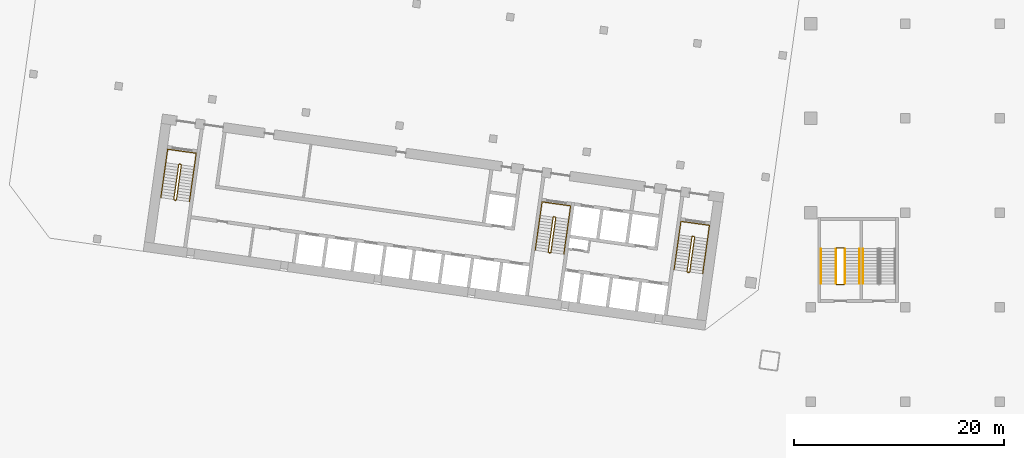
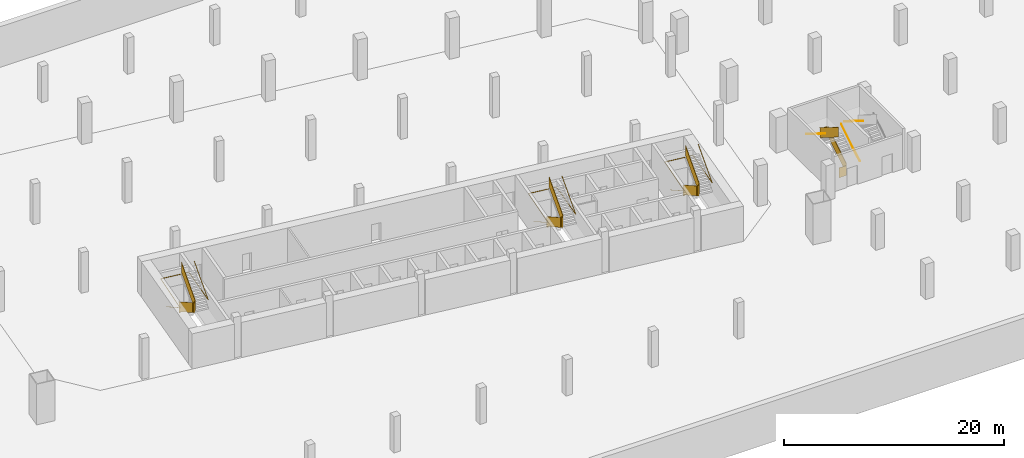
# One storey, part 14 of 17: 13 railings.
"""IFC4 building model written with IfcOpenShell, lengths in metres."""

import ifcopenshell
import ifcopenshell.guid

model = None  # the IFC model being written
_history = None  # IfcOwnerHistory: only IFC2X3 demands one
_inside = {}  # id of a spatial element -> (the spatial element, [elements in it])
_under = {}  # id of a project, library or spatial element -> (it, [spatial elements below it])
_declared = {}  # id of a project -> (the project, [libraries it declares])
_typed = {}  # id of a type object -> (the type object, [elements of that type])
_made_of = {}  # id of a material, layer set ... -> (it, [elements and type objects made of it])


def new_model(schema):
    """Start an empty IFC model of exactly this schema.

    Asked for "IFC4X3", IfcOpenShell would pick the latest addendum, in which some entities
    have other attributes; the version numbers below select the first issue.
    IFC2X3 requires an IfcOwnerHistory on every rooted entity: one is made here for all.
    """
    global model, _history
    if schema == "IFC4X3":
        model = ifcopenshell.file(schema_version=(4, 3, 0, 0))
    else:
        model = ifcopenshell.file(schema=schema)
    _inside.clear()
    _under.clear()
    _declared.clear()
    _typed.clear()
    _made_of.clear()
    _history = None
    if model.schema == "IFC2X3":
        org = make("IfcOrganization", Name="unknown")
        user = make(
            "IfcPersonAndOrganization",
            ThePerson=make("IfcPerson", FamilyName="unknown"),
            TheOrganization=org,
        )
        app = make(
            "IfcApplication",
            ApplicationDeveloper=org,
            Version="unknown",
            ApplicationFullName="unknown",
            ApplicationIdentifier="unknown",
        )
        _history = make(
            "IfcOwnerHistory",
            OwningUser=user,
            OwningApplication=app,
            ChangeAction="ADDED",
            CreationDate=0,
        )
    return model


def make(cls, **values):
    """One entity of the class cls with the attributes given. An attribute that is None is left unset."""
    return model.create_entity(
        cls, **{name: value for name, value in values.items() if value is not None}
    )


def rooted(cls, **values):
    """An entity with a GlobalId (a new one), such as an element, a storey or a relation."""
    return make(cls, GlobalId=ifcopenshell.guid.new(), OwnerHistory=_history, **values)


def si_unit(unit_type, name, prefix=None):
    """IfcSIUnit, for example si_unit("LENGTHUNIT", "METRE", prefix="MILLI")."""
    return make("IfcSIUnit", UnitType=unit_type, Prefix=prefix, Name=name)


def assignment(units):
    """IfcUnitAssignment: the units of a project."""
    return None if units is None else make("IfcUnitAssignment", Units=units)


def point(xyz):
    """IfcCartesianPoint."""
    return None if xyz is None else make("IfcCartesianPoint", Coordinates=xyz)


def direction(xyz):
    """IfcDirection."""
    return None if xyz is None else make("IfcDirection", DirectionRatios=xyz)


def frame(location, z_axis=None, x_axis=None):
    """IfcAxis2Placement3D, a coordinate frame: its origin and axes. An axis left out is left unset."""
    return make(
        "IfcAxis2Placement3D",
        Location=point(location),
        Axis=direction(z_axis),
        RefDirection=direction(x_axis),
    )


def frame_2d(location, x_axis=None):
    """IfcAxis2Placement2D, a coordinate frame in the plane: its origin and x axis."""
    return make(
        "IfcAxis2Placement2D", Location=point(location), RefDirection=direction(x_axis)
    )


def origin():
    """The frame at (0, 0, 0) with its axes left unset."""
    return frame((0.0, 0.0, 0.0))


def origin_2d():
    """The frame at (0, 0) in the plane with its x axis left unset."""
    return frame_2d((0.0, 0.0))


def place(relative_to, where):
    """IfcLocalPlacement: puts the frame where relative to a parent placement (None: the world)."""
    return make(
        "IfcLocalPlacement", PlacementRelTo=relative_to, RelativePlacement=where
    )


def context(
    kind, dimensions, precision=None, world=None, true_north=None, identifier=None
):
    """IfcGeometricRepresentationContext, for example the 3D "Model" context."""
    return make(
        "IfcGeometricRepresentationContext",
        ContextIdentifier=identifier,
        ContextType=kind,
        CoordinateSpaceDimension=dimensions,
        Precision=precision,
        WorldCoordinateSystem=world,
        TrueNorth=true_north,
    )


def subcontext(parent, identifier, kind, view, scale=None):
    """IfcGeometricRepresentationSubContext, for example "Body" below "Model"."""
    return make(
        "IfcGeometricRepresentationSubContext",
        ContextIdentifier=identifier,
        ContextType=kind,
        ParentContext=parent,
        TargetScale=scale,
        TargetView=view,
    )


def project(units=None, contexts=None):
    """IfcProject with its units and contexts."""
    return rooted(
        "IfcProject",
        Name="project",
        RepresentationContexts=contexts,
        UnitsInContext=assignment(units),
    )


def spatial(cls, under=None, at=None, **own):
    """A site, building, storey or space (cls), placed at a placement, below another one or the project."""
    s = rooted(cls, ObjectPlacement=at, **own)
    if under is not None:
        _under.setdefault(under.id(), (under, []))[1].append(s)
    return s


def profile(cls, at=None, kind="AREA", **sizes):
    """A parametric profile (cls). Its sizes go by their IFC names, for example OverallWidth=200.0."""
    return make(cls, ProfileType=kind, Position=at, **sizes)


def rectangle(**sizes):
    """IfcRectangleProfileDef."""
    return profile("IfcRectangleProfileDef", **sizes)


def extrude(swept, where, along, depth):
    """IfcExtrudedAreaSolid: the profile swept, set in the frame where, extruded along a direction by depth."""
    return make(
        "IfcExtrudedAreaSolid",
        SweptArea=swept,
        Position=where,
        ExtrudedDirection=direction(along),
        Depth=depth,
    )


def shape(context_of_items, identifier, shape_type, items):
    """IfcShapeRepresentation: the items that make up one representation, for example the "Body"."""
    return make(
        "IfcShapeRepresentation",
        ContextOfItems=context_of_items,
        RepresentationIdentifier=identifier,
        RepresentationType=shape_type,
        Items=items,
    )


def material(Name=None, Category=None):
    """IfcMaterial."""
    return make("IfcMaterial", Name=Name, Category=Category)


def made_of(thing, what):
    """Note that an element or type object is made of a material, layer set ...; save() writes the relation."""
    if what is not None:
        _made_of.setdefault(what.id(), (what, []))[1].append(thing)
    return thing


def type_object(cls, material=None, **own):
    """A type object (cls), such as IfcWallType, which elements share."""
    return made_of(rooted(cls, **own), material)


def element(
    cls,
    number,
    at=None,
    inside=None,
    cuts=None,
    type_object=None,
    material=None,
    context=None,
    identifier="Body",
    shape_type=None,
    held_by="IfcProductDefinitionShape",
    body=None,
    shapes=None,
    **own,
):
    """One element of the class cls, such as IfcWall. Its Tag is "e" and its number.

    at: its placement. inside: the storey or other place that contains it. cuts: it is an
    opening in that element (IfcRelVoidsElement). A single representation is given by context,
    identifier, shape_type and body (its items); several are given by shapes. held_by: the class
    of the entity that holds the representations. save() writes the other relations.
    """
    e = rooted(cls, Tag="e%d" % number, ObjectPlacement=at, **own)
    if body is not None:
        shapes = [shape(context, identifier, shape_type, body)]
    if shapes is not None:
        e.Representation = make(held_by, Representations=shapes)
    if inside is not None:
        _inside.setdefault(inside.id(), (inside, []))[1].append(e)
    if cuts is not None:
        rooted(
            "IfcRelVoidsElement", RelatingBuildingElement=cuts, RelatedOpeningElement=e
        )
    if type_object is not None:
        _typed.setdefault(type_object.id(), (type_object, []))[1].append(e)
    return made_of(e, material)


def aggregate(whole, parts):
    """IfcRelAggregates: a whole, such as a stair, and the parts it consists of."""
    return rooted("IfcRelAggregates", RelatingObject=whole, RelatedObjects=parts)


def save(model, path):
    """Write the relations noted so far, then the file.

    IfcRelAggregates (storeys below a building ...), IfcRelContainedInSpatialStructure (elements
    in a storey), IfcRelDefinesByType, IfcRelAssociatesMaterial and IfcRelDeclares: one each for
    every whole, place, type object, material and project.
    """
    for whole, parts in _under.values():
        aggregate(whole, parts)
    for where, things in _inside.values():
        rooted(
            "IfcRelContainedInSpatialStructure",
            RelatedElements=things,
            RelatingStructure=where,
        )
    for kind, things in _typed.values():
        rooted("IfcRelDefinesByType", RelatedObjects=things, RelatingType=kind)
    for what, things in _made_of.values():
        rooted("IfcRelAssociatesMaterial", RelatedObjects=things, RelatingMaterial=what)
    for by, libraries in _declared.values():
        rooted("IfcRelDeclares", RelatingContext=by, RelatedDefinitions=libraries)
    model.write(path)


model = new_model("IFC4")

# Units and contexts
model_context = context("Model", 3, precision=1e-05, world=origin(), true_north=direction((0.0, 1.0)))
body_context = subcontext(model_context, "Body", "Model", "MODEL_VIEW")
ifc_project = project(units=[si_unit("LENGTHUNIT", "METRE"), si_unit("AREAUNIT", "SQUARE_METRE"), si_unit("VOLUMEUNIT", "CUBIC_METRE"), si_unit("PLANEANGLEUNIT", "RADIAN"), si_unit("MASSUNIT", "GRAM", prefix="KILO")], contexts=[model_context])

# Site, building, storey
site_placement = place(None, origin())
site = spatial("IfcSite", under=ifc_project, at=site_placement, CompositionType="ELEMENT")
building_placement = place(site_placement, origin())
building = spatial("IfcBuilding", under=site, at=building_placement, Name="Mirante Cascada Hotel Towers", CompositionType="ELEMENT")
storey_placement = place(building_placement, frame((0.0, 0.0, -4.5)))
storey = spatial("IfcBuildingStorey", under=building, at=storey_placement, Name="B1", CompositionType="ELEMENT", Elevation=-4.5)

# Railings
ifc_material_1 = material(Name="Painted steel", Category="steel")
railing_type_1 = type_object("IfcRailingType", Name="Podium stair guard 1100 steel balustrade", PredefinedType="GUARDRAIL", material=ifc_material_1)
railing_1_placement = place(storey_placement, frame((-23.775, -15.775, 0.1731)))
element("IfcRailing", 1, at=railing_1_placement, inside=storey, type_object=railing_type_1, Name="B1 PS3 stair guard 1", PredefinedType="GUARDRAIL", context=body_context, shape_type="SweptSolid", body=[
    extrude(rectangle(XDim=0.048, YDim=0.048, at=origin_2d()), frame((0.0, 0.0, 1.076), z_axis=(0.0, 1.0, 0.0), x_axis=(-1.0, 0.0, 0.0)), (0.0, 0.5257871, 0.8506162), 3.9501),
    extrude(rectangle(XDim=0.02, YDim=1.052, at=origin_2d()), frame((0.0, 0.0, 0.526), z_axis=(0.0, 1.0, 0.0), x_axis=(-1.0, 0.0, 0.0)), (0.0, 0.5257871, 0.8506162), 3.9501),
])
railing_2_placement = place(storey_placement, frame((-23.825, -12.365, 2.25)))
element("IfcRailing", 2, at=railing_2_placement, inside=storey, type_object=railing_type_1, Name="B1 PS3 stair guard 2", PredefinedType="GUARDRAIL", context=body_context, shape_type="SweptSolid", body=[
    extrude(rectangle(XDim=0.048, YDim=0.048, at=origin_2d()), frame((0.0, 0.0, 1.076), z_axis=(-1.0, 0.0, 0.0), x_axis=(0.0, -1.0, 0.0)), (0.0, 0.0, 1.0), 0.75),
    extrude(rectangle(XDim=0.02, YDim=1.052, at=origin_2d()), frame((0.0, 0.0, 0.526), z_axis=(-1.0, 0.0, 0.0), x_axis=(0.0, -1.0, 0.0)), (0.0, 0.0, 1.0), 0.75),
])
railing_3_placement = place(storey_placement, frame((-24.625, -12.415, 2.4231)))
element("IfcRailing", 3, at=railing_3_placement, inside=storey, type_object=railing_type_1, Name="B1 PS3 stair guard 3", PredefinedType="GUARDRAIL", context=body_context, shape_type="SweptSolid", body=[
    extrude(rectangle(XDim=0.048, YDim=0.048, at=origin_2d()), frame((0.0, 0.0, 1.076), z_axis=(0.0, -1.0, 0.0), x_axis=(1.0, 0.0, 0.0)), (0.0, 0.5257871, 0.8506162), 3.9501),
    extrude(rectangle(XDim=0.02, YDim=1.052, at=origin_2d()), frame((0.0, 0.0, 0.526), z_axis=(0.0, -1.0, 0.0), x_axis=(1.0, 0.0, 0.0)), (0.0, 0.5257871, 0.8506162), 3.9501),
])
railing_4_placement = place(storey_placement, frame((-23.825, -15.825, 0.0)))
element("IfcRailing", 4, at=railing_4_placement, inside=storey, type_object=railing_type_1, Name="B1 PS3 stair guard 4", PredefinedType="GUARDRAIL", context=body_context, shape_type="SweptSolid", body=[
    extrude(rectangle(XDim=0.048, YDim=0.048, at=origin_2d()), frame((0.0, 0.0, 1.076), z_axis=(-1.0, 0.0, 0.0), x_axis=(0.0, -1.0, 0.0)), (0.0, 0.0, 1.0), 0.75),
    extrude(rectangle(XDim=0.02, YDim=1.052, at=origin_2d()), frame((0.0, 0.0, 0.526), z_axis=(-1.0, 0.0, 0.0), x_axis=(0.0, -1.0, 0.0)), (0.0, 0.0, 1.0), 0.75),
])
ifc_material_2 = material(Name="Painted steel", Category="steel")
railing_type_2 = type_object("IfcRailingType", Name="Podium stair handrail 900 steel tube", PredefinedType="HANDRAIL", material=ifc_material_2)
railing_5_placement = place(storey_placement, frame((-22.025, -12.415, 2.4231)))
element("IfcRailing", 5, at=railing_5_placement, inside=storey, type_object=railing_type_2, Name="B1 PS1 stair handrail 2", PredefinedType="HANDRAIL", context=body_context, shape_type="SweptSolid", body=[
    extrude(rectangle(XDim=0.048, YDim=0.048, at=origin_2d()), frame((0.0, 0.0, 0.876), z_axis=(0.0, -1.0, 0.0), x_axis=(1.0, 0.0, 0.0)), (0.0, 0.5257871, 0.8506162), 3.9501),
])
railing_6_placement = place(storey_placement, frame((-22.375, -15.775, 0.1731)))
element("IfcRailing", 6, at=railing_6_placement, inside=storey, type_object=railing_type_2, Name="B1 PS3 stair handrail 1", PredefinedType="HANDRAIL", context=body_context, shape_type="SweptSolid", body=[
    extrude(rectangle(XDim=0.048, YDim=0.048, at=origin_2d()), frame((0.0, 0.0, 0.876), z_axis=(0.0, 1.0, 0.0), x_axis=(-1.0, 0.0, 0.0)), (0.0, 0.5257871, 0.8506162), 3.9501),
])
railing_7_placement = place(storey_placement, frame((-26.025, -12.415, 2.4231)))
element("IfcRailing", 7, at=railing_7_placement, inside=storey, type_object=railing_type_2, Name="B1 PS3 stair handrail 2", PredefinedType="HANDRAIL", context=body_context, shape_type="SweptSolid", body=[
    extrude(rectangle(XDim=0.048, YDim=0.048, at=origin_2d()), frame((0.0, 0.0, 0.876), z_axis=(0.0, -1.0, 0.0), x_axis=(1.0, 0.0, 0.0)), (0.0, 0.5257871, 0.8506162), 3.9501),
])
ifc_material_3 = material(Name="Painted steel", Category="steel")
railing_type_3 = type_object("IfcRailingType", Name="Stair guard 1100 steel balustrade", PredefinedType="GUARDRAIL", material=ifc_material_3)
railing_8_placement = place(storey_placement, frame((-38.1178, -11.2603, 0.0)))
element("IfcRailing", 8, at=railing_8_placement, inside=storey, type_object=railing_type_3, Name="B1 ST1-A stair guard 1", PredefinedType="GUARDRAIL", context=body_context, shape_type="SweptSolid", body=[
    extrude(rectangle(XDim=0.048, YDim=0.048, at=origin_2d()), frame((0.0, 0.0, 1.076), z_axis=(-0.9903326, 0.1387133, 0.0), x_axis=(-0.1387133, -0.9903326, 0.0)), (0.0, 0.0, 1.0), 0.1499),
    extrude(rectangle(XDim=0.02, YDim=1.052, at=origin_2d()), frame((0.0, 0.0, 0.526), z_axis=(-0.9903326, 0.1387133, 0.0), x_axis=(-0.1387133, -0.9903326, 0.0)), (0.0, 0.0, 1.0), 0.1499),
    extrude(rectangle(XDim=0.048, YDim=0.048, at=origin_2d()), frame((-0.1485, 0.0208, 1.076), z_axis=(-0.7991505, -0.6011309, 0.0), x_axis=(0.6011309, -0.7991505, 0.0)), (0.0, 0.9257597, 0.3781125), 0.187),
    extrude(rectangle(XDim=0.02, YDim=1.052, at=origin_2d()), frame((-0.1485, 0.0208, 0.526), z_axis=(-0.7991505, -0.6011309, 0.0), x_axis=(0.6011309, -0.7991505, 0.0)), (0.0, 0.9257597, 0.3781125), 0.187),
    extrude(rectangle(XDim=0.048, YDim=0.048, at=origin_2d()), frame((-0.205, -0.0217, 1.2491), z_axis=(-0.1391668, -0.990269, 0.0), x_axis=(0.990269, -0.1391668, 0.0)), (0.0, 0.5257875, 0.8506159), 3.9501),
    extrude(rectangle(XDim=0.02, YDim=1.052, at=origin_2d()), frame((-0.205, -0.0217, 0.6991), z_axis=(-0.1391668, -0.990269, 0.0), x_axis=(0.990269, -0.1391668, 0.0)), (0.0, 0.5257875, 0.8506159), 3.9501),
    extrude(rectangle(XDim=0.048, YDim=0.048, at=origin_2d()), frame((-0.6726, -3.349, 3.326), z_axis=(0.9268624, -0.3754011, 0.0), x_axis=(0.3754011, 0.9268624, 0.0)), (0.0, 0.0, 1.0), 0.2062),
    extrude(rectangle(XDim=0.02, YDim=1.052, at=origin_2d()), frame((-0.6726, -3.349, 2.776), z_axis=(0.9268624, -0.3754011, 0.0), x_axis=(0.3754011, 0.9268624, 0.0)), (0.0, 0.0, 1.0), 0.2062),
    extrude(rectangle(XDim=0.048, YDim=0.048, at=origin_2d()), frame((-0.4815, -3.4264, 3.326), z_axis=(-0.9902537, 0.1392753, 0.0), x_axis=(-0.1392753, -0.9902537, 0.0)), (0.0, 0.0, 1.0), 0.1501),
    extrude(rectangle(XDim=0.02, YDim=1.052, at=origin_2d()), frame((-0.4815, -3.4264, 2.776), z_axis=(-0.9902537, 0.1392753, 0.0), x_axis=(-0.1392753, -0.9902537, 0.0)), (0.0, 0.0, 1.0), 0.1501),
    extrude(rectangle(XDim=0.048, YDim=0.048, at=origin_2d()), frame((-0.6301, -3.4055, 3.326), z_axis=(0.9944441, 0.1052656, 0.0), x_axis=(-0.1052656, 0.9944441, 0.0)), (0.0, 0.6430569, 0.7658184), 0.2692),
    extrude(rectangle(XDim=0.02, YDim=1.052, at=origin_2d()), frame((-0.6301, -3.4055, 2.776), z_axis=(0.9944441, 0.1052656, 0.0), x_axis=(-0.1052656, 0.9944441, 0.0)), (0.0, 0.6430569, 0.7658184), 0.2692),
    extrude(rectangle(XDim=0.048, YDim=0.048, at=origin_2d()), frame((-0.4251, -3.3838, 3.4991), z_axis=(0.139196, 0.9902648, 0.0), x_axis=(-0.9902648, 0.139196, 0.0)), (0.0, 0.525786, 0.8506169), 3.9501),
    extrude(rectangle(XDim=0.02, YDim=1.052, at=origin_2d()), frame((-0.4251, -3.3838, 2.9491), z_axis=(0.139196, 0.9902648, 0.0), x_axis=(-0.9902648, 0.139196, 0.0)), (0.0, 0.525786, 0.8506169), 3.9501),
])
railing_9_placement = place(storey_placement, frame((-51.3379, -9.4024, 0.0)))
element("IfcRailing", 9, at=railing_9_placement, inside=storey, type_object=railing_type_3, Name="B1 ST1-B stair guard 1", PredefinedType="GUARDRAIL", context=body_context, shape_type="SweptSolid", body=[
    extrude(rectangle(XDim=0.048, YDim=0.048, at=origin_2d()), frame((0.0, 0.0, 1.076), z_axis=(-0.9902408, 0.1393672, 0.0), x_axis=(-0.1393672, -0.9902408, 0.0)), (0.0, 0.0, 1.0), 0.15),
    extrude(rectangle(XDim=0.02, YDim=1.052, at=origin_2d()), frame((0.0, 0.0, 0.526), z_axis=(-0.9902408, 0.1393672, 0.0), x_axis=(-0.1393672, -0.9902408, 0.0)), (0.0, 0.0, 1.0), 0.15),
    extrude(rectangle(XDim=0.048, YDim=0.048, at=origin_2d()), frame((-0.1485, 0.0209, 1.076), z_axis=(-0.7984711, -0.6020331, 0.0), x_axis=(0.6020331, -0.7984711, 0.0)), (0.0, 0.925647, 0.3783882), 0.187),
    extrude(rectangle(XDim=0.02, YDim=1.052, at=origin_2d()), frame((-0.1485, 0.0209, 0.526), z_axis=(-0.7984711, -0.6020331, 0.0), x_axis=(0.6020331, -0.7984711, 0.0)), (0.0, 0.925647, 0.3783882), 0.187),
    extrude(rectangle(XDim=0.048, YDim=0.048, at=origin_2d()), frame((-0.205, -0.0217, 1.2491), z_axis=(-0.1391668, -0.990269, 0.0), x_axis=(0.990269, -0.1391668, 0.0)), (0.0, 0.5257875, 0.8506159), 3.9501),
    extrude(rectangle(XDim=0.02, YDim=1.052, at=origin_2d()), frame((-0.205, -0.0217, 0.6991), z_axis=(-0.1391668, -0.990269, 0.0), x_axis=(0.990269, -0.1391668, 0.0)), (0.0, 0.5257875, 0.8506159), 3.9501),
    extrude(rectangle(XDim=0.048, YDim=0.048, at=origin_2d()), frame((-0.6726, -3.349, 3.326), z_axis=(0.9270311, -0.3749843, 0.0), x_axis=(0.3749843, 0.9270311, 0.0)), (0.0, 0.0, 1.0), 0.2061),
    extrude(rectangle(XDim=0.02, YDim=1.052, at=origin_2d()), frame((-0.6726, -3.349, 2.776), z_axis=(0.9270311, -0.3749843, 0.0), x_axis=(0.3749843, 0.9270311, 0.0)), (0.0, 0.0, 1.0), 0.2061),
    extrude(rectangle(XDim=0.048, YDim=0.048, at=origin_2d()), frame((-0.4815, -3.4263, 3.326), z_axis=(-0.9902537, 0.1392753, 0.0), x_axis=(-0.1392753, -0.9902537, 0.0)), (0.0, 0.0, 1.0), 0.1501),
    extrude(rectangle(XDim=0.02, YDim=1.052, at=origin_2d()), frame((-0.4815, -3.4263, 2.776), z_axis=(-0.9902537, 0.1392753, 0.0), x_axis=(-0.1392753, -0.9902537, 0.0)), (0.0, 0.0, 1.0), 0.1501),
    extrude(rectangle(XDim=0.048, YDim=0.048, at=origin_2d()), frame((-0.6301, -3.4054, 3.326), z_axis=(0.9945001, 0.1047353, 0.0), x_axis=(-0.1047353, 0.9945001, 0.0)), (0.0, 0.6428942, 0.765955), 0.2693),
    extrude(rectangle(XDim=0.02, YDim=1.052, at=origin_2d()), frame((-0.6301, -3.4054, 2.776), z_axis=(0.9945001, 0.1047353, 0.0), x_axis=(-0.1047353, 0.9945001, 0.0)), (0.0, 0.6428942, 0.765955), 0.2693),
    extrude(rectangle(XDim=0.048, YDim=0.048, at=origin_2d()), frame((-0.425, -3.3838, 3.4991), z_axis=(0.1391668, 0.990269, 0.0), x_axis=(-0.990269, 0.1391668, 0.0)), (0.0, 0.5257875, 0.8506159), 3.9501),
    extrude(rectangle(XDim=0.02, YDim=1.052, at=origin_2d()), frame((-0.425, -3.3838, 2.9491), z_axis=(0.1391668, 0.990269, 0.0), x_axis=(-0.990269, 0.1391668, 0.0)), (0.0, 0.5257875, 0.8506159), 3.9501),
])
railing_10_placement = place(storey_placement, frame((-86.9875, -4.3922, 0.0)))
element("IfcRailing", 10, at=railing_10_placement, inside=storey, type_object=railing_type_3, Name="B1 ST1-C stair guard 1", PredefinedType="GUARDRAIL", context=body_context, shape_type="SweptSolid", body=[
    extrude(rectangle(XDim=0.048, YDim=0.048, at=origin_2d()), frame((0.0, 0.0, 1.076), z_axis=(-0.9902537, 0.1392753, 0.0), x_axis=(-0.1392753, -0.9902537, 0.0)), (0.0, 0.0, 1.0), 0.1501),
    extrude(rectangle(XDim=0.02, YDim=1.052, at=origin_2d()), frame((0.0, 0.0, 0.526), z_axis=(-0.9902537, 0.1392753, 0.0), x_axis=(-0.1392753, -0.9902537, 0.0)), (0.0, 0.0, 1.0), 0.1501),
    extrude(rectangle(XDim=0.048, YDim=0.048, at=origin_2d()), frame((-0.1486, 0.0209, 1.076), z_axis=(-0.7986386, -0.601811, 0.0), x_axis=(0.601811, -0.7986386, 0.0)), (0.0, 0.9259092, 0.3777462), 0.187),
    extrude(rectangle(XDim=0.02, YDim=1.052, at=origin_2d()), frame((-0.1486, 0.0209, 0.526), z_axis=(-0.7986386, -0.601811, 0.0), x_axis=(0.601811, -0.7986386, 0.0)), (0.0, 0.9259092, 0.3777462), 0.187),
    extrude(rectangle(XDim=0.048, YDim=0.048, at=origin_2d()), frame((-0.205, -0.0216, 1.2491), z_axis=(-0.139196, -0.9902648, 0.0), x_axis=(0.9902648, -0.139196, 0.0)), (0.0, 0.525786, 0.8506169), 3.9501),
    extrude(rectangle(XDim=0.02, YDim=1.052, at=origin_2d()), frame((-0.205, -0.0216, 0.6991), z_axis=(-0.139196, -0.9902648, 0.0), x_axis=(0.9902648, -0.139196, 0.0)), (0.0, 0.525786, 0.8506169), 3.9501),
    extrude(rectangle(XDim=0.048, YDim=0.048, at=origin_2d()), frame((-0.6727, -3.3489, 3.326), z_axis=(0.9268624, -0.3754011, 0.0), x_axis=(0.3754011, 0.9268624, 0.0)), (0.0, 0.0, 1.0), 0.2062),
    extrude(rectangle(XDim=0.02, YDim=1.052, at=origin_2d()), frame((-0.6727, -3.3489, 2.776), z_axis=(0.9268624, -0.3754011, 0.0), x_axis=(0.3754011, 0.9268624, 0.0)), (0.0, 0.0, 1.0), 0.2062),
    extrude(rectangle(XDim=0.048, YDim=0.048, at=origin_2d()), frame((-0.4816, -3.4263, 3.326), z_axis=(-0.9902408, 0.1393672, 0.0), x_axis=(-0.1393672, -0.9902408, 0.0)), (0.0, 0.0, 1.0), 0.15),
    extrude(rectangle(XDim=0.02, YDim=1.052, at=origin_2d()), frame((-0.4816, -3.4263, 2.776), z_axis=(-0.9902408, 0.1393672, 0.0), x_axis=(-0.1393672, -0.9902408, 0.0)), (0.0, 0.0, 1.0), 0.15),
    extrude(rectangle(XDim=0.048, YDim=0.048, at=origin_2d()), frame((-0.6301, -3.4054, 3.326), z_axis=(0.9944441, 0.1052656, 0.0), x_axis=(-0.1052656, 0.9944441, 0.0)), (0.0, 0.6430569, 0.7658184), 0.2692),
    extrude(rectangle(XDim=0.02, YDim=1.052, at=origin_2d()), frame((-0.6301, -3.4054, 2.776), z_axis=(0.9944441, 0.1052656, 0.0), x_axis=(-0.1052656, 0.9944441, 0.0)), (0.0, 0.6430569, 0.7658184), 0.2692),
    extrude(rectangle(XDim=0.048, YDim=0.048, at=origin_2d()), frame((-0.4251, -3.3837, 3.4991), z_axis=(0.1391668, 0.990269, 0.0), x_axis=(-0.990269, 0.1391668, 0.0)), (0.0, 0.5257875, 0.8506159), 3.9501),
    extrude(rectangle(XDim=0.02, YDim=1.052, at=origin_2d()), frame((-0.4251, -3.3837, 2.9491), z_axis=(0.1391668, 0.990269, 0.0), x_axis=(-0.990269, 0.1391668, 0.0)), (0.0, 0.5257875, 0.8506159), 3.9501),
])
ifc_material_4 = material(Name="Painted steel", Category="steel")
railing_type_4 = type_object("IfcRailingType", Name="Stair handrail 900 steel tube", PredefinedType="HANDRAIL", material=ifc_material_4)
railing_11_placement = place(storey_placement, frame((-39.5606, -11.1081, 0.1731)))
element("IfcRailing", 11, at=railing_11_placement, inside=storey, type_object=railing_type_4, Name="B1 ST1-A stair handrail 1", PredefinedType="HANDRAIL", context=body_context, shape_type="SweptSolid", body=[
    extrude(rectangle(XDim=0.048, YDim=0.048, at=origin_2d()), frame((0.0, 0.0, 0.876), z_axis=(-0.139196, -0.9902648, 0.0), x_axis=(0.9902648, -0.139196, 0.0)), (0.0, 0.525786, 0.8506169), 3.9501),
    extrude(rectangle(XDim=0.048, YDim=0.048, at=origin_2d()), frame((-0.4677, -3.3273, 2.9529), z_axis=(0.1391828, 0.9902667, 0.0), x_axis=(-0.9902667, 0.1391828, 0.0)), (0.0, 0.0371199, 0.9993108), 4.6633),
    extrude(rectangle(XDim=0.048, YDim=0.048, at=origin_2d()), frame((0.1809, 1.2874, 3.126), z_axis=(0.9902691, -0.1391657, 0.0), x_axis=(0.1391657, 0.9902691, 0.0)), (0.0, 0.0, 1.0), 2.75),
    extrude(rectangle(XDim=0.048, YDim=0.048, at=origin_2d()), frame((2.9041, 0.9047, 3.126), z_axis=(-0.1391618, -0.9902697, 0.0), x_axis=(0.9902697, -0.1391618, 0.0)), (0.0, 0.0, 1.0), 4.66),
    extrude(rectangle(XDim=0.048, YDim=0.048, at=origin_2d()), frame((2.2556, -3.71, 3.126), z_axis=(0.1391668, 0.990269, 0.0), x_axis=(-0.990269, 0.1391668, 0.0)), (0.0, 0.5257875, 0.8506159), 3.9501),
])
railing_12_placement = place(storey_placement, frame((-52.7807, -9.2501, 0.1731)))
element("IfcRailing", 12, at=railing_12_placement, inside=storey, type_object=railing_type_4, Name="B1 ST1-B stair handrail 1", PredefinedType="HANDRAIL", context=body_context, shape_type="SweptSolid", body=[
    extrude(rectangle(XDim=0.048, YDim=0.048, at=origin_2d()), frame((0.0, 0.0, 0.876), z_axis=(-0.1391668, -0.990269, 0.0), x_axis=(0.990269, -0.1391668, 0.0)), (0.0, 0.5257875, 0.8506159), 3.9501),
    extrude(rectangle(XDim=0.048, YDim=0.048, at=origin_2d()), frame((-0.4676, -3.3273, 2.9529), z_axis=(0.1391618, 0.9902697, 0.0), x_axis=(-0.9902697, 0.1391618, 0.0)), (0.0, 0.03712, 0.9993108), 4.6633),
    extrude(rectangle(XDim=0.048, YDim=0.048, at=origin_2d()), frame((0.1809, 1.2874, 3.126), z_axis=(0.9902641, -0.1392013, 0.0), x_axis=(0.1392013, 0.9902641, 0.0)), (0.0, 0.0, 1.0), 2.75),
    extrude(rectangle(XDim=0.048, YDim=0.048, at=origin_2d()), frame((2.9041, 0.9046, 3.126), z_axis=(-0.1391647, -0.9902692, 0.0), x_axis=(0.9902692, -0.1391647, 0.0)), (0.0, 0.0, 1.0), 4.6599),
    extrude(rectangle(XDim=0.048, YDim=0.048, at=origin_2d()), frame((2.2556, -3.71, 3.126), z_axis=(0.1391668, 0.990269, 0.0), x_axis=(-0.990269, 0.1391668, 0.0)), (0.0, 0.5257875, 0.8506159), 3.9501),
])
railing_13_placement = place(storey_placement, frame((-88.4304, -4.2399, 0.1731)))
element("IfcRailing", 13, at=railing_13_placement, inside=storey, type_object=railing_type_4, Name="B1 ST1-C stair handrail 1", PredefinedType="HANDRAIL", context=body_context, shape_type="SweptSolid", body=[
    extrude(rectangle(XDim=0.048, YDim=0.048, at=origin_2d()), frame((0.0, 0.0, 0.876), z_axis=(-0.1391668, -0.990269, 0.0), x_axis=(0.990269, -0.1391668, 0.0)), (0.0, 0.5257875, 0.8506159), 3.9501),
    extrude(rectangle(XDim=0.048, YDim=0.048, at=origin_2d()), frame((-0.4676, -3.3273, 2.9529), z_axis=(0.1391828, 0.9902667, 0.0), x_axis=(-0.9902667, 0.1391828, 0.0)), (0.0, 0.0371199, 0.9993108), 4.6633),
    extrude(rectangle(XDim=0.048, YDim=0.048, at=origin_2d()), frame((0.181, 1.2874, 3.126), z_axis=(0.9902691, -0.1391657, 0.0), x_axis=(0.1391657, 0.9902691, 0.0)), (0.0, 0.0, 1.0), 2.75),
    extrude(rectangle(XDim=0.048, YDim=0.048, at=origin_2d()), frame((2.9042, 0.9047, 3.126), z_axis=(-0.1391828, -0.9902667, 0.0), x_axis=(0.9902667, -0.1391828, 0.0)), (0.0, 0.0, 1.0), 4.6601),
    extrude(rectangle(XDim=0.048, YDim=0.048, at=origin_2d()), frame((2.2556, -3.71, 3.126), z_axis=(0.139196, 0.9902648, 0.0), x_axis=(-0.9902648, 0.139196, 0.0)), (0.0, 0.525786, 0.8506169), 3.9501),
])

save(model, "model.ifc")
